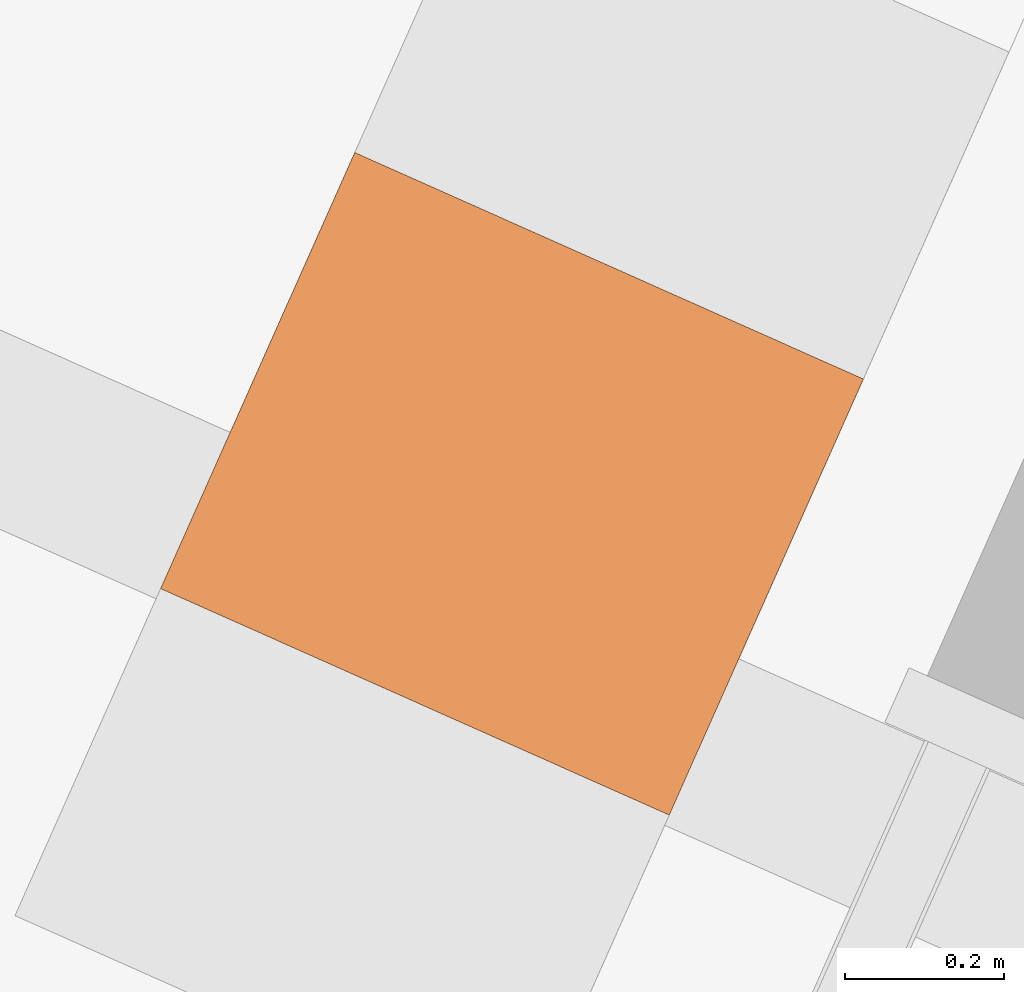
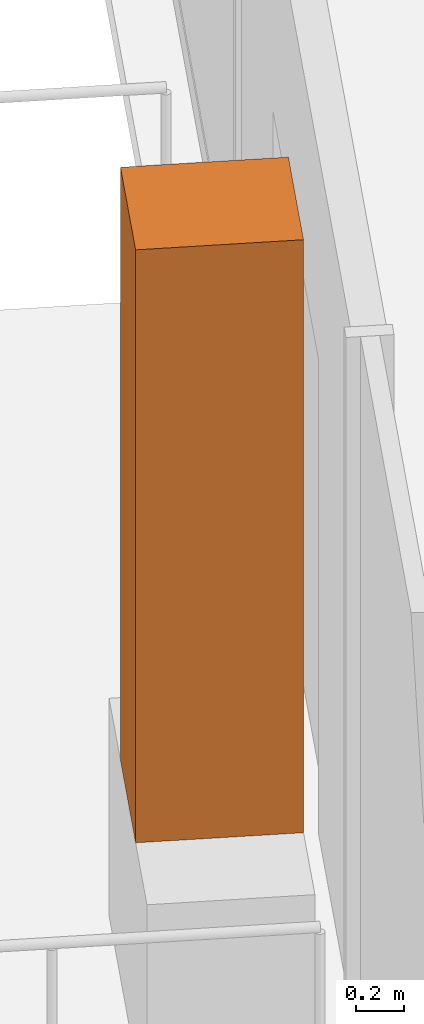
# One storey, part 21 of 21: 1 geographic element.
"""IFC4 building model written with IfcOpenShell, lengths in metres."""

from ifc_helpers import new_model, si_unit, direction, frame, origin, origin_2d, place, context, subcontext, project, spatial, rectangle, extrude, source, transform, mapped, material, type_object, element, save


model = new_model("IFC4")

# Units and contexts
model_context = context("Model", 3, precision=1e-05, world=origin(), true_north=direction((0.0, 1.0)))
body_context = subcontext(model_context, "Body", "Model", "MODEL_VIEW")
ifc_project = project(units=[si_unit("LENGTHUNIT", "METRE"), si_unit("AREAUNIT", "SQUARE_METRE"), si_unit("VOLUMEUNIT", "CUBIC_METRE"), si_unit("PLANEANGLEUNIT", "RADIAN"), si_unit("MASSUNIT", "GRAM", prefix="KILO")], contexts=[model_context])

# Site, building, storey
site_placement = place(None, origin())
site = spatial("IfcSite", under=ifc_project, at=site_placement, CompositionType="ELEMENT")
building_placement = place(site_placement, origin())
building = spatial("IfcBuilding", under=site, at=building_placement, Name="Triune Harvest Tower", CompositionType="ELEMENT")
storey_placement = place(building_placement, frame((0.0, 0.0, 248.5)))
storey = spatial("IfcBuildingStorey", under=building, at=storey_placement, Name="L65", CompositionType="ELEMENT", Elevation=248.5)

# Geographic element
ifc_material = material(Name="TREE-1 tree")
geographic_element_type = type_object("IfcGeographicElementType", Name="TREE-1 tree", PredefinedType="USERDEFINED", material=ifc_material)
shared_shape = source(origin(), body_context, "Body", "SweptSolid", [
    extrude(rectangle(XDim=0.60009765625, YDim=0.699951171875, at=origin_2d()), origin(), (0.0, 0.0, 1.0), 3.0),
])
geographic_element_placement = place(storey_placement, frame((-16.231201171875, 14.32275390625, 1.10009765625), z_axis=(0.0, 0.0, 1.0), x_axis=(-0.406737912248, -0.91354489257, 0.0)))
element("IfcGeographicElement", 1, at=geographic_element_placement, inside=storey, type_object=geographic_element_type, Name="Tree B6-F3 L65.4b", ObjectType="TREE", PredefinedType="USERDEFINED", context=body_context, shape_type="MappedRepresentation", body=[
    mapped(shared_shape, transform((0.0, 0.0, 0.0), scale=1.0)),
])

save(model, "model.ifc")
